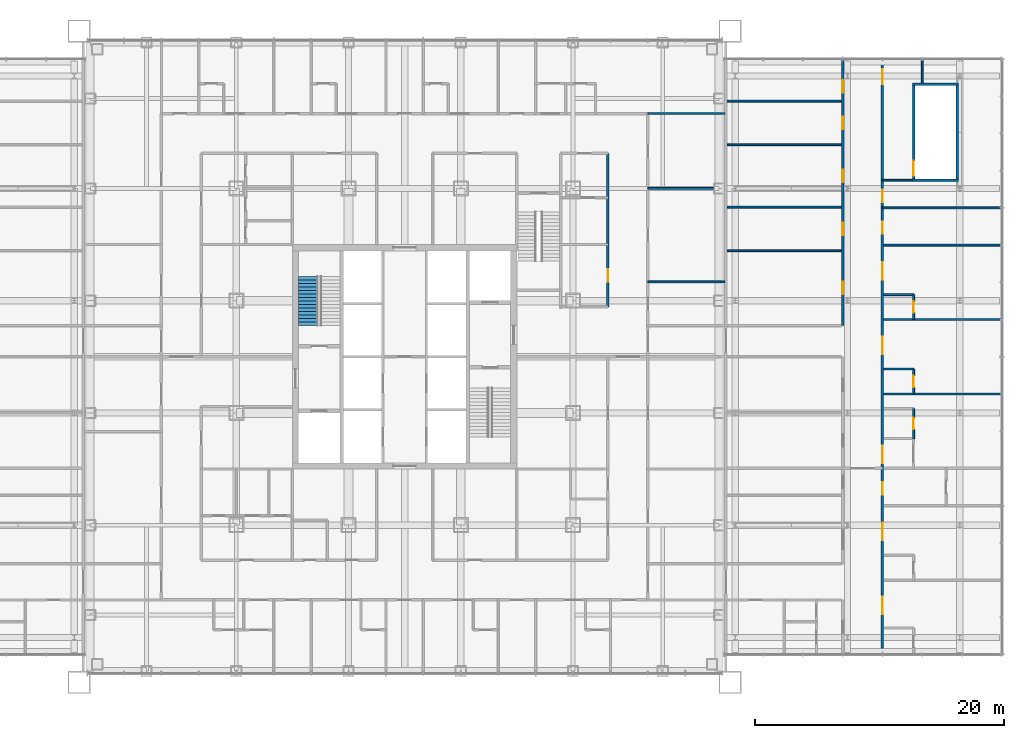
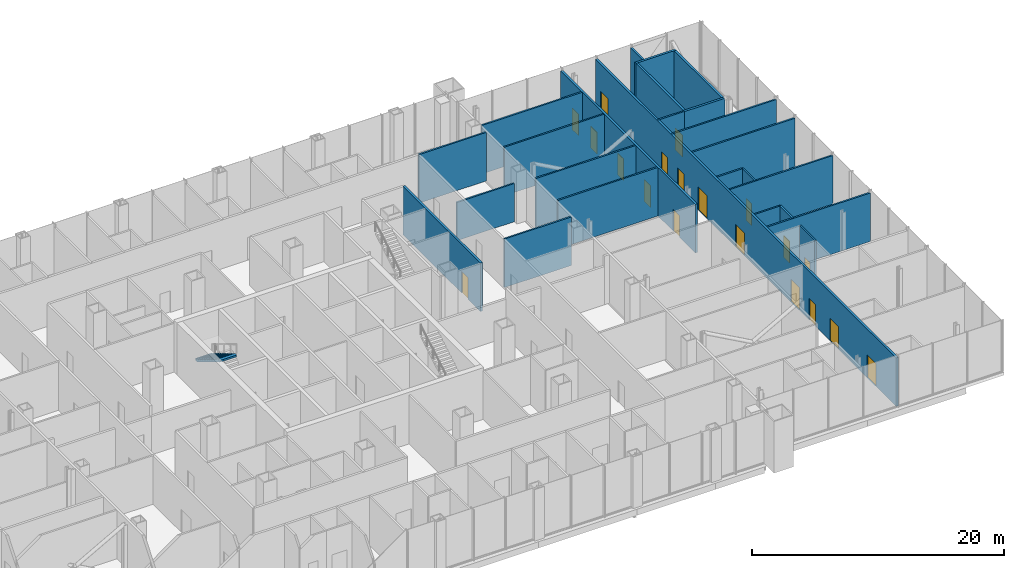
# One storey, part 22 of 28: 25 walls, 19 doors, 1 stair flight, 19 openings, 1 element without a shape of its own.
"""IFC4 building model written with IfcOpenShell, lengths in metres."""

from ifc_helpers import new_model, si_unit, direction, frame, frame_2d, origin, place, context, subcontext, project, spatial, polyline, rectangle, outline, extrude, material, layer, layer_set, type_object, element, fill, aggregate, save


model = new_model("IFC4")

# Units and contexts
model_context = context("Model", 3, precision=1e-05, world=origin(), true_north=direction((0.0, 1.0)))
body_context = subcontext(model_context, "Body", "Model", "MODEL_VIEW")
ifc_project = project(units=[si_unit("LENGTHUNIT", "METRE"), si_unit("AREAUNIT", "SQUARE_METRE"), si_unit("VOLUMEUNIT", "CUBIC_METRE"), si_unit("PLANEANGLEUNIT", "RADIAN"), si_unit("MASSUNIT", "GRAM", prefix="KILO")], contexts=[model_context])

# Site, building, storey
site_placement = place(None, origin())
site = spatial("IfcSite", under=ifc_project, at=site_placement, CompositionType="ELEMENT")
building_placement = place(site_placement, origin())
building = spatial("IfcBuilding", under=site, at=building_placement, Name="Malebo Sky Hospital", CompositionType="ELEMENT")
storey_placement = place(building_placement, frame((0.0, 0.0, 21.0)))
storey = spatial("IfcBuildingStorey", under=building, at=storey_placement, Name="L04", CompositionType="ELEMENT", Elevation=21.0)

# Wall, opening, door
ifc_material_1 = material(Name="Gypsum board on steel studs", Category="steel")
ifc_layer_1 = layer(ifc_material_1, 0.199951171875)
ifc_layer_set_1 = layer_set([ifc_layer_1], Name="CORRIDOR WALL 200")
wall_type_1 = type_object("IfcWallType", Name="CORRIDOR WALL 200", PredefinedType="PARTITIONING", material=ifc_layer_set_1)
wall_1_placement = place(storey_placement, frame((76.300048828125, 78.300048828125, 0.0), z_axis=(0.0, 0.0, 1.0), x_axis=(0.0, -1.0, 0.0)))
wall_1 = element("IfcWall", 1, at=wall_1_placement, inside=storey, type_object=wall_type_1, Name="Corridor Wall 200 ECI1", PredefinedType="PARTITIONING", context=body_context, shape_type="SweptSolid", body=[
    extrude(rectangle(XDim=12.300048828125, YDim=0.199951171875, at=frame_2d((6.14990234375, 0.0))), origin(), (0.0, 0.0, 1.0), 4.699951171875),
])
opening_1_placement = place(wall_1_placement, frame((9.300048828125, 0.0, 0.0)))
opening_1 = element("IfcOpeningElement", 2, at=opening_1_placement, cuts=wall_1, Name="Opening D03", PredefinedType="OPENING", context=body_context, shape_type="SweptSolid", body=[
    extrude(rectangle(XDim=1.0, YDim=2.10009765625, at=frame_2d((0.5, 1.050048828125))), frame((0.0, 0.10986328125, 0.0), z_axis=(0.0, -1.0, 0.0), x_axis=(1.0, 0.0, 0.0)), (0.0, 0.0, 1.0), 0.219970703125),
])
ifc_material_2 = material(Name="Hardwood-faced door leaf in steel frame", Category="steel")
door_type_1 = type_object("IfcDoorType", Name="ROOM DOOR 1000", OperationType="SINGLE_SWING_LEFT", PredefinedType="DOOR", material=ifc_material_2)
door_1_placement = place(opening_1_placement, origin())
door_1 = element("IfcDoor", 3, at=door_1_placement, inside=storey, type_object=door_type_1, Name="Equipment store door", OperationType="SINGLE_SWING_LEFT", OverallHeight=2.10009765625, OverallWidth=1.0, PredefinedType="DOOR", context=body_context, shape_type="SweptSolid", body=[
    extrude(rectangle(XDim=1.0, YDim=2.10009765625, at=frame_2d((0.5, 1.050048828125))), frame((0.0, 0.02490234375, 0.0), z_axis=(0.0, -1.0, 0.0), x_axis=(1.0, 0.0, 0.0)), (0.0, 0.0, 1.0), 0.050048828125),
])
fill(opening_1, door_1)

# Wall, openings, doors
wall_2_placement = place(storey_placement, frame((98.306884765625, 38.14990234375, 0.0), z_axis=(0.0, 0.0, 1.0), x_axis=(0.0, 1.0, 0.0)))
wall_2 = element("IfcWall", 4, at=wall_2_placement, inside=storey, type_object=wall_type_1, Name="Corridor Wall 200 EWC1", PredefinedType="PARTITIONING", context=body_context, shape_type="SweptSolid", body=[
    extrude(rectangle(XDim=47.7001953125, YDim=0.199951171875, at=frame_2d((23.85009765625, 0.0))), origin(), (0.0, 0.0, 1.0), 4.699951171875),
])
opening_2_placement = place(wall_2_placement, frame((45.699951171875, 0.0, 0.0)))
opening_2 = element("IfcOpeningElement", 5, at=opening_2_placement, cuts=wall_2, Name="Opening D08", PredefinedType="OPENING", context=body_context, shape_type="SweptSolid", body=[
    extrude(rectangle(XDim=1.199951171875, YDim=2.10009765625, at=frame_2d((0.60009765625, 1.050048828125))), frame((0.0, 0.10986328125, 0.0), z_axis=(0.0, -1.0, 0.0), x_axis=(1.0, 0.0, 0.0)), (0.0, 0.0, 1.0), 0.219970703125),
])
opening_3_placement = place(wall_2_placement, frame((36.24365234375, 0.0, 0.0)))
opening_3 = element("IfcOpeningElement", 6, at=opening_3_placement, cuts=wall_2, Name="Opening D03", PredefinedType="OPENING", context=body_context, shape_type="SweptSolid", body=[
    extrude(rectangle(XDim=1.0, YDim=2.10009765625, at=frame_2d((0.5, 1.050048828125))), frame((0.0, 0.10986328125, 0.0), z_axis=(0.0, -1.0, 0.0), x_axis=(1.0, 0.0, 0.0)), (0.0, 0.0, 1.0), 0.219970703125),
])
opening_4_placement = place(wall_2_placement, frame((15.296875, 0.0, 0.0)))
opening_4 = element("IfcOpeningElement", 7, at=opening_4_placement, cuts=wall_2, Name="Opening D25", PredefinedType="OPENING", context=body_context, shape_type="SweptSolid", body=[
    extrude(rectangle(XDim=1.39990234375, YDim=2.199951171875, at=frame_2d((0.699951171875, 1.10009765625))), frame((0.0, 0.10986328125, 0.0), z_axis=(0.0, -1.0, 0.0), x_axis=(1.0, 0.0, 0.0)), (0.0, 0.0, 1.0), 0.219970703125),
])
opening_5_placement = place(wall_2_placement, frame((3.221923828125, 0.0, 0.0)))
opening_5 = element("IfcOpeningElement", 8, at=opening_5_placement, cuts=wall_2, Name="Opening D25", PredefinedType="OPENING", context=body_context, shape_type="SweptSolid", body=[
    extrude(rectangle(XDim=1.39990234375, YDim=2.199951171875, at=frame_2d((0.699951171875, 1.10009765625))), frame((0.0, 0.10986328125, 0.0), z_axis=(0.0, -1.0, 0.0), x_axis=(1.0, 0.0, 0.0)), (0.0, 0.0, 1.0), 0.219970703125),
])
opening_6_placement = place(wall_2_placement, frame((9.128173828125, 0.0, 0.0)))
opening_6 = element("IfcOpeningElement", 9, at=opening_6_placement, cuts=wall_2, Name="Opening D25", PredefinedType="OPENING", context=body_context, shape_type="SweptSolid", body=[
    extrude(rectangle(XDim=1.39990234375, YDim=2.199951171875, at=frame_2d((0.699951171875, 1.10009765625))), frame((0.0, 0.10986328125, 0.0), z_axis=(0.0, -1.0, 0.0), x_axis=(1.0, 0.0, 0.0)), (0.0, 0.0, 1.0), 0.219970703125),
])
opening_7_placement = place(wall_2_placement, frame((12.8046875, 0.0, 0.0)))
opening_7 = element("IfcOpeningElement", 10, at=opening_7_placement, cuts=wall_2, Name="Opening D03", PredefinedType="OPENING", context=body_context, shape_type="SweptSolid", body=[
    extrude(rectangle(XDim=1.0, YDim=2.10009765625, at=frame_2d((0.5, 1.050048828125))), frame((0.0, 0.10986328125, 0.0), z_axis=(0.0, -1.0, 0.0), x_axis=(1.0, 0.0, 0.0)), (0.0, 0.0, 1.0), 0.219970703125),
])
opening_8_placement = place(wall_2_placement, frame((24.050048828125, 0.0, 0.0)))
opening_8 = element("IfcOpeningElement", 11, at=opening_8_placement, cuts=wall_2, Name="Opening D25", PredefinedType="OPENING", context=body_context, shape_type="SweptSolid", body=[
    extrude(rectangle(XDim=1.39990234375, YDim=2.199951171875, at=frame_2d((0.699951171875, 1.10009765625))), frame((0.0, 0.10986328125, 0.0), z_axis=(0.0, -1.0, 0.0), x_axis=(1.0, 0.0, 0.0)), (0.0, 0.0, 1.0), 0.219970703125),
])
opening_9_placement = place(wall_2_placement, frame((30.018798828125, 0.0, 0.0)))
opening_9 = element("IfcOpeningElement", 12, at=opening_9_placement, cuts=wall_2, Name="Opening D25", PredefinedType="OPENING", context=body_context, shape_type="SweptSolid", body=[
    extrude(rectangle(XDim=1.39990234375, YDim=2.199951171875, at=frame_2d((0.699951171875, 1.10009765625))), frame((0.0, 0.10986328125, 0.0), z_axis=(0.0, -1.0, 0.0), x_axis=(1.0, 0.0, 0.0)), (0.0, 0.0, 1.0), 0.219970703125),
])
opening_10_placement = place(wall_2_placement, frame((33.6953125, 0.0, 0.0)))
opening_10 = element("IfcOpeningElement", 13, at=opening_10_placement, cuts=wall_2, Name="Opening D03", PredefinedType="OPENING", context=body_context, shape_type="SweptSolid", body=[
    extrude(rectangle(XDim=1.0, YDim=2.10009765625, at=frame_2d((0.5, 1.050048828125))), frame((0.0, 0.10986328125, 0.0), z_axis=(0.0, -1.0, 0.0), x_axis=(1.0, 0.0, 0.0)), (0.0, 0.0, 1.0), 0.219970703125),
])
door_type_2 = type_object("IfcDoorType", Name="BED DOOR PAIR 1400", OperationType="DOUBLE_DOOR_SINGLE_SWING", PredefinedType="DOOR", material=ifc_material_2)
door_2_placement = place(opening_4_placement, origin())
door_2 = element("IfcDoor", 14, at=door_2_placement, inside=storey, type_object=door_type_2, Name="Anteroom door", OperationType="DOUBLE_DOOR_SINGLE_SWING", OverallHeight=2.199951171875, OverallWidth=1.39990234375, PredefinedType="DOOR", context=body_context, shape_type="SweptSolid", body=[
    extrude(rectangle(XDim=1.39990234375, YDim=2.199951171875, at=frame_2d((0.699951171875, 1.10009765625))), frame((0.0, 0.02490234375, 0.0), z_axis=(0.0, -1.0, 0.0), x_axis=(1.0, 0.0, 0.0)), (0.0, 0.0, 1.0), 0.050048828125),
])
fill(opening_4, door_2)
door_3_placement = place(opening_5_placement, origin())
door_3 = element("IfcDoor", 15, at=door_3_placement, inside=storey, type_object=door_type_2, Name="ICU bed room door", OperationType="DOUBLE_DOOR_SINGLE_SWING", OverallHeight=2.199951171875, OverallWidth=1.39990234375, PredefinedType="DOOR", context=body_context, shape_type="SweptSolid", body=[
    extrude(rectangle(XDim=1.39990234375, YDim=2.199951171875, at=frame_2d((0.699951171875, 1.10009765625))), frame((0.0, 0.02490234375, 0.0), z_axis=(0.0, -1.0, 0.0), x_axis=(1.0, 0.0, 0.0)), (0.0, 0.0, 1.0), 0.050048828125),
])
fill(opening_5, door_3)
door_4_placement = place(opening_6_placement, origin())
door_4 = element("IfcDoor", 16, at=door_4_placement, inside=storey, type_object=door_type_2, Name="ICU bed room door", OperationType="DOUBLE_DOOR_SINGLE_SWING", OverallHeight=2.199951171875, OverallWidth=1.39990234375, PredefinedType="DOOR", context=body_context, shape_type="SweptSolid", body=[
    extrude(rectangle(XDim=1.39990234375, YDim=2.199951171875, at=frame_2d((0.699951171875, 1.10009765625))), frame((0.0, 0.02490234375, 0.0), z_axis=(0.0, -1.0, 0.0), x_axis=(1.0, 0.0, 0.0)), (0.0, 0.0, 1.0), 0.050048828125),
])
fill(opening_6, door_4)
door_5_placement = place(opening_8_placement, origin())
door_5 = element("IfcDoor", 17, at=door_5_placement, inside=storey, type_object=door_type_2, Name="ICU bed room door", OperationType="DOUBLE_DOOR_SINGLE_SWING", OverallHeight=2.199951171875, OverallWidth=1.39990234375, PredefinedType="DOOR", context=body_context, shape_type="SweptSolid", body=[
    extrude(rectangle(XDim=1.39990234375, YDim=2.199951171875, at=frame_2d((0.699951171875, 1.10009765625))), frame((0.0, 0.02490234375, 0.0), z_axis=(0.0, -1.0, 0.0), x_axis=(1.0, 0.0, 0.0)), (0.0, 0.0, 1.0), 0.050048828125),
])
fill(opening_8, door_5)
door_6_placement = place(opening_9_placement, origin())
door_6 = element("IfcDoor", 18, at=door_6_placement, inside=storey, type_object=door_type_2, Name="ICU bed room door", OperationType="DOUBLE_DOOR_SINGLE_SWING", OverallHeight=2.199951171875, OverallWidth=1.39990234375, PredefinedType="DOOR", context=body_context, shape_type="SweptSolid", body=[
    extrude(rectangle(XDim=1.39990234375, YDim=2.199951171875, at=frame_2d((0.699951171875, 1.10009765625))), frame((0.0, 0.02490234375, 0.0), z_axis=(0.0, -1.0, 0.0), x_axis=(1.0, 0.0, 0.0)), (0.0, 0.0, 1.0), 0.050048828125),
])
fill(opening_9, door_6)
door_7_placement = place(opening_3_placement, origin())
door_7 = element("IfcDoor", 19, at=door_7_placement, inside=storey, type_object=door_type_1, Name="ICU consumables store door", OperationType="SINGLE_SWING_LEFT", OverallHeight=2.10009765625, OverallWidth=1.0, PredefinedType="DOOR", context=body_context, shape_type="SweptSolid", body=[
    extrude(rectangle(XDim=1.0, YDim=2.10009765625, at=frame_2d((0.5, 1.050048828125))), frame((0.0, 0.02490234375, 0.0), z_axis=(0.0, -1.0, 0.0), x_axis=(1.0, 0.0, 0.0)), (0.0, 0.0, 1.0), 0.050048828125),
])
fill(opening_3, door_7)
door_8_placement = place(opening_7_placement, origin())
door_8 = element("IfcDoor", 20, at=door_8_placement, inside=storey, type_object=door_type_1, Name="ICU nurse base door", OperationType="SINGLE_SWING_LEFT", OverallHeight=2.10009765625, OverallWidth=1.0, PredefinedType="DOOR", context=body_context, shape_type="SweptSolid", body=[
    extrude(rectangle(XDim=1.0, YDim=2.10009765625, at=frame_2d((0.5, 1.050048828125))), frame((0.0, 0.02490234375, 0.0), z_axis=(0.0, -1.0, 0.0), x_axis=(1.0, 0.0, 0.0)), (0.0, 0.0, 1.0), 0.050048828125),
])
fill(opening_7, door_8)
door_9_placement = place(opening_10_placement, origin())
door_9 = element("IfcDoor", 21, at=door_9_placement, inside=storey, type_object=door_type_1, Name="Dirty utility room door", OperationType="SINGLE_SWING_LEFT", OverallHeight=2.10009765625, OverallWidth=1.0, PredefinedType="DOOR", context=body_context, shape_type="SweptSolid", body=[
    extrude(rectangle(XDim=1.0, YDim=2.10009765625, at=frame_2d((0.5, 1.050048828125))), frame((0.0, 0.02490234375, 0.0), z_axis=(0.0, -1.0, 0.0), x_axis=(1.0, 0.0, 0.0)), (0.0, 0.0, 1.0), 0.050048828125),
])
fill(opening_10, door_9)
door_type_3 = type_object("IfcDoorType", Name="STAIR DOOR 1200", OperationType="SINGLE_SWING_LEFT", PredefinedType="DOOR", material=ifc_material_2)
door_10_placement = place(opening_2_placement, origin())
door_10 = element("IfcDoor", 22, at=door_10_placement, inside=storey, type_object=door_type_3, Name="Stair lobby door", OperationType="SINGLE_SWING_RIGHT", OverallHeight=2.10009765625, OverallWidth=1.199951171875, PredefinedType="DOOR", context=body_context, shape_type="SweptSolid", body=[
    extrude(rectangle(XDim=1.199951171875, YDim=2.10009765625, at=frame_2d((0.60009765625, 1.050048828125))), frame((0.0, 0.02490234375, 0.0), z_axis=(0.0, -1.0, 0.0), x_axis=(1.0, 0.0, 0.0)), (0.0, 0.0, 1.0), 0.050048828125),
])
fill(opening_2, door_10)

wall_3_placement = place(storey_placement, frame((95.117919921875, 64.5, 0.0), z_axis=(0.0, 0.0, 1.0), x_axis=(0.0, 1.0, 0.0)))
wall_3 = element("IfcWall", 23, at=wall_3_placement, inside=storey, type_object=wall_type_1, Name="Corridor Wall 200 EWC2C", PredefinedType="PARTITIONING", context=body_context, shape_type="SweptSolid", body=[
    extrude(rectangle(XDim=21.35009765625, YDim=0.199951171875, at=frame_2d((10.675048828125, 0.0))), origin(), (0.0, 0.0, 1.0), 4.699951171875),
])
opening_11_placement = place(wall_3_placement, frame((2.5, 0.0, 0.0)))
opening_11 = element("IfcOpeningElement", 24, at=opening_11_placement, cuts=wall_3, Name="Opening D03", PredefinedType="OPENING", context=body_context, shape_type="SweptSolid", body=[
    extrude(rectangle(XDim=1.0, YDim=2.10009765625, at=frame_2d((0.5, 1.050048828125))), frame((0.0, 0.10986328125, 0.0), z_axis=(0.0, -1.0, 0.0), x_axis=(1.0, 0.0, 0.0)), (0.0, 0.0, 1.0), 0.219970703125),
])
opening_12_placement = place(wall_3_placement, frame((7.25, 0.0, 0.0)))
opening_12 = element("IfcOpeningElement", 25, at=opening_12_placement, cuts=wall_3, Name="Opening D03", PredefinedType="OPENING", context=body_context, shape_type="SweptSolid", body=[
    extrude(rectangle(XDim=1.0, YDim=2.10009765625, at=frame_2d((0.5, 1.050048828125))), frame((0.0, 0.10986328125, 0.0), z_axis=(0.0, -1.0, 0.0), x_axis=(1.0, 0.0, 0.0)), (0.0, 0.0, 1.0), 0.219970703125),
])
opening_13_placement = place(wall_3_placement, frame((11.5, 0.0, 0.0)))
opening_13 = element("IfcOpeningElement", 26, at=opening_13_placement, cuts=wall_3, Name="Opening D03", PredefinedType="OPENING", context=body_context, shape_type="SweptSolid", body=[
    extrude(rectangle(XDim=1.0, YDim=2.10009765625, at=frame_2d((0.5, 1.050048828125))), frame((0.0, 0.10986328125, 0.0), z_axis=(0.0, -1.0, 0.0), x_axis=(1.0, 0.0, 0.0)), (0.0, 0.0, 1.0), 0.219970703125),
])
opening_14_placement = place(wall_3_placement, frame((15.75, 0.0, 0.0)))
opening_14 = element("IfcOpeningElement", 27, at=opening_14_placement, cuts=wall_3, Name="Opening D03", PredefinedType="OPENING", context=body_context, shape_type="SweptSolid", body=[
    extrude(rectangle(XDim=1.0, YDim=2.10009765625, at=frame_2d((0.5, 1.050048828125))), frame((0.0, 0.10986328125, 0.0), z_axis=(0.0, -1.0, 0.0), x_axis=(1.0, 0.0, 0.0)), (0.0, 0.0, 1.0), 0.219970703125),
])
opening_15_placement = place(wall_3_placement, frame((18.675048828125, 0.0, 0.0)))
opening_15 = element("IfcOpeningElement", 28, at=opening_15_placement, cuts=wall_3, Name="Opening D03", PredefinedType="OPENING", context=body_context, shape_type="SweptSolid", body=[
    extrude(rectangle(XDim=1.0, YDim=2.10009765625, at=frame_2d((0.5, 1.050048828125))), frame((0.0, 0.10986328125, 0.0), z_axis=(0.0, -1.0, 0.0), x_axis=(1.0, 0.0, 0.0)), (0.0, 0.0, 1.0), 0.219970703125),
])
door_11_placement = place(opening_11_placement, origin())
door_11 = element("IfcDoor", 29, at=door_11_placement, inside=storey, type_object=door_type_1, Name="Relatives room door", OperationType="SINGLE_SWING_LEFT", OverallHeight=2.10009765625, OverallWidth=1.0, PredefinedType="DOOR", context=body_context, shape_type="SweptSolid", body=[
    extrude(rectangle(XDim=1.0, YDim=2.10009765625, at=frame_2d((0.5, 1.050048828125))), frame((0.0, 0.02490234375, 0.0), z_axis=(0.0, -1.0, 0.0), x_axis=(1.0, 0.0, 0.0)), (0.0, 0.0, 1.0), 0.050048828125),
])
fill(opening_11, door_11)
door_12_placement = place(opening_12_placement, origin())
door_12 = element("IfcDoor", 30, at=door_12_placement, inside=storey, type_object=door_type_1, Name="Relatives overnight room door", OperationType="SINGLE_SWING_LEFT", OverallHeight=2.10009765625, OverallWidth=1.0, PredefinedType="DOOR", context=body_context, shape_type="SweptSolid", body=[
    extrude(rectangle(XDim=1.0, YDim=2.10009765625, at=frame_2d((0.5, 1.050048828125))), frame((0.0, 0.02490234375, 0.0), z_axis=(0.0, -1.0, 0.0), x_axis=(1.0, 0.0, 0.0)), (0.0, 0.0, 1.0), 0.050048828125),
])
fill(opening_12, door_12)
door_13_placement = place(opening_13_placement, origin())
door_13 = element("IfcDoor", 31, at=door_13_placement, inside=storey, type_object=door_type_1, Name="Staff changing room door", OperationType="SINGLE_SWING_LEFT", OverallHeight=2.10009765625, OverallWidth=1.0, PredefinedType="DOOR", context=body_context, shape_type="SweptSolid", body=[
    extrude(rectangle(XDim=1.0, YDim=2.10009765625, at=frame_2d((0.5, 1.050048828125))), frame((0.0, 0.02490234375, 0.0), z_axis=(0.0, -1.0, 0.0), x_axis=(1.0, 0.0, 0.0)), (0.0, 0.0, 1.0), 0.050048828125),
])
fill(opening_13, door_13)
door_14_placement = place(opening_14_placement, origin())
door_14 = element("IfcDoor", 32, at=door_14_placement, inside=storey, type_object=door_type_1, Name="Staff rest room door", OperationType="SINGLE_SWING_LEFT", OverallHeight=2.10009765625, OverallWidth=1.0, PredefinedType="DOOR", context=body_context, shape_type="SweptSolid", body=[
    extrude(rectangle(XDim=1.0, YDim=2.10009765625, at=frame_2d((0.5, 1.050048828125))), frame((0.0, 0.02490234375, 0.0), z_axis=(0.0, -1.0, 0.0), x_axis=(1.0, 0.0, 0.0)), (0.0, 0.0, 1.0), 0.050048828125),
])
fill(opening_14, door_14)
door_15_placement = place(opening_15_placement, origin())
door_15 = element("IfcDoor", 33, at=door_15_placement, inside=storey, type_object=door_type_1, Name="ICU linen store door", OperationType="SINGLE_SWING_LEFT", OverallHeight=2.10009765625, OverallWidth=1.0, PredefinedType="DOOR", context=body_context, shape_type="SweptSolid", body=[
    extrude(rectangle(XDim=1.0, YDim=2.10009765625, at=frame_2d((0.5, 1.050048828125))), frame((0.0, 0.02490234375, 0.0), z_axis=(0.0, -1.0, 0.0), x_axis=(1.0, 0.0, 0.0)), (0.0, 0.0, 1.0), 0.050048828125),
])
fill(opening_15, door_15)

# Walls
ifc_layer_2 = layer(ifc_material_1, 0.14990234375)
ifc_layer_set_2 = layer_set([ifc_layer_2], Name="PARTITION 150")
wall_type_2 = type_object("IfcWallType", Name="PARTITION 150", PredefinedType="PARTITIONING", material=ifc_layer_set_2)
wall_4_placement = place(storey_placement, frame((79.5, 81.5, 0.0), z_axis=(0.0, 0.0, 1.0), x_axis=(1.0, 0.0, 0.0)))
element("IfcWall", 34, at=wall_4_placement, inside=storey, type_object=wall_type_2, Name="Partition 150 EP-19.5", PredefinedType="PARTITIONING", context=body_context, shape_type="SweptSolid", body=[
    extrude(rectangle(XDim=6.14990234375, YDim=0.14990234375, at=frame_2d((3.074951171875, 0.0))), origin(), (0.0, 0.0, 1.0), 4.699951171875),
])
wall_5_placement = place(storey_placement, frame((79.5, 75.5, 0.0), z_axis=(0.0, 0.0, 1.0), x_axis=(1.0, 0.0, 0.0)))
element("IfcWall", 35, at=wall_5_placement, inside=storey, type_object=wall_type_2, Name="Partition 150 EP-13.5", PredefinedType="PARTITIONING", context=body_context, shape_type="SweptSolid", body=[
    extrude(rectangle(XDim=5.25, YDim=0.14990234375, at=frame_2d((2.625, 0.0))), origin(), (0.0, 0.0, 1.0), 3.699951171875),
])
wall_6_placement = place(storey_placement, frame((79.5, 68.0, 0.0), z_axis=(0.0, 0.0, 1.0), x_axis=(1.0, 0.0, 0.0)))
element("IfcWall", 36, at=wall_6_placement, inside=storey, type_object=wall_type_2, Name="Partition 150 EP-6.0", PredefinedType="PARTITIONING", context=body_context, shape_type="SweptSolid", body=[
    extrude(rectangle(XDim=6.14990234375, YDim=0.14990234375, at=frame_2d((3.074951171875, 0.0))), origin(), (0.0, 0.0, 1.0), 4.699951171875),
])
wall_7_placement = place(storey_placement, frame((100.699951171875, 76.14990234375, 0.0), z_axis=(0.0, 0.0, 1.0), x_axis=(-1.0, 0.0, 0.0)))
element("IfcWall", 37, at=wall_7_placement, inside=storey, type_object=wall_type_2, Name="Partition 150 ELS", PredefinedType="PARTITIONING", context=body_context, shape_type="SweptSolid", body=[
    extrude(rectangle(XDim=2.39306640625, YDim=0.14990234375, at=frame_2d((1.196533203125, 0.0))), origin(), (0.0, 0.0, 1.0), 4.699951171875),
])
wall_8_placement = place(storey_placement, frame((101.49609375, 83.949951171875, 0.0), z_axis=(0.0, 0.0, 1.0), x_axis=(0.0, 1.0, 0.0)))
element("IfcWall", 38, at=wall_8_placement, inside=storey, type_object=wall_type_2, Name="Partition 150 ELW", PredefinedType="PARTITIONING", context=body_context, shape_type="SweptSolid", body=[
    extrude(rectangle(XDim=1.900146484375, YDim=0.14990234375, at=frame_2d((0.9501953125, 0.0))), origin(), (0.0, 0.0, 1.0), 4.699951171875),
])
wall_9_placement = place(storey_placement, frame((107.85009765625, 73.9375, 0.0), z_axis=(0.0, 0.0, 1.0), x_axis=(-1.0, 0.0, 0.0)))
element("IfcWall", 39, at=wall_9_placement, inside=storey, type_object=wall_type_2, Name="Partition 150 ESP", PredefinedType="PARTITIONING", context=body_context, shape_type="SweptSolid", body=[
    extrude(rectangle(XDim=9.543212890625, YDim=0.14990234375, at=frame_2d((4.771484375, 0.0))), origin(), (0.0, 0.0, 1.0), 4.699951171875),
])
for number, where, z_axis, x_axis, name in (
    (40, (107.85009765625, 59.015625, 0.0), (0.0, 0.0, 1.0), (-1.0, 0.0, 0.0), "Partition 150 EOH03"),
    (41, (107.85009765625, 64.984375, 0.0), (0.0, 0.0, 1.0), (-1.0, 0.0, 0.0), "Partition 150 EOH04"),
    (42, (107.85009765625, 70.953125, 0.0), (0.0, 0.0, 1.0), (-1.0, 0.0, 0.0), "Partition 150 EOH05"),
):
    element("IfcWall", number, at=place(storey_placement, frame(where, z_axis=z_axis, x_axis=x_axis)), inside=storey, type_object=wall_type_2, Name=name, PredefinedType="PARTITIONING", context=body_context, shape_type="SweptSolid", body=[
        extrude(rectangle(XDim=9.443115234375, YDim=0.14990234375, at=frame_2d((4.7216796875, 0.0))), origin(), (0.0, 0.0, 1.0), 4.699951171875),
    ])

# Wall, opening, door
wall_10_placement = place(storey_placement, frame((100.806884765625, 55.447021484375, 0.0), z_axis=(0.0, 0.0, 1.0), x_axis=(0.0, 1.0, 0.0)))
wall_10 = element("IfcWall", 43, at=wall_10_placement, inside=storey, type_object=wall_type_2, Name="Partition 150 EOX03F", PredefinedType="PARTITIONING", context=body_context, shape_type="SweptSolid", body=[
    extrude(rectangle(XDim=2.39990234375, YDim=0.14990234375, at=frame_2d((1.199951171875, 0.0))), origin(), (0.0, 0.0, 1.0), 4.699951171875),
])
opening_16_placement = place(wall_10_placement, frame((0.75, 0.0, 0.0)))
opening_16 = element("IfcOpeningElement", 44, at=opening_16_placement, cuts=wall_10, Name="Opening D02", PredefinedType="OPENING", context=body_context, shape_type="SweptSolid", body=[
    extrude(rectangle(XDim=0.89990234375, YDim=2.10009765625, at=frame_2d((0.449951171875, 1.050048828125))), frame((0.0, 0.0849609375, 0.0), z_axis=(0.0, -1.0, 0.0), x_axis=(1.0, 0.0, 0.0)), (0.0, 0.0, 1.0), 0.169921875),
])
door_type_4 = type_object("IfcDoorType", Name="EN-SUITE DOOR 900", OperationType="SINGLE_SWING_LEFT", PredefinedType="DOOR", material=ifc_material_2)
door_16_placement = place(opening_16_placement, origin())
door_16 = element("IfcDoor", 45, at=door_16_placement, inside=storey, type_object=door_type_4, Name="En-suite door", OperationType="SINGLE_SWING_LEFT", OverallHeight=2.10009765625, OverallWidth=0.89990234375, PredefinedType="DOOR", context=body_context, shape_type="SweptSolid", body=[
    extrude(rectangle(XDim=0.89990234375, YDim=2.10009765625, at=frame_2d((0.449951171875, 1.050048828125))), frame((0.0, 0.02490234375, 0.0), z_axis=(0.0, -1.0, 0.0), x_axis=(1.0, 0.0, 0.0)), (0.0, 0.0, 1.0), 0.050048828125),
])
fill(opening_16, door_16)

wall_11_placement = place(storey_placement, frame((100.806884765625, 59.015625, 0.0), z_axis=(0.0, 0.0, 1.0), x_axis=(0.0, 1.0, 0.0)))
wall_11 = element("IfcWall", 46, at=wall_11_placement, inside=storey, type_object=wall_type_2, Name="Partition 150 EOX04F", PredefinedType="PARTITIONING", context=body_context, shape_type="SweptSolid", body=[
    extrude(rectangle(XDim=2.0, YDim=0.14990234375, at=frame_2d((1.0, 0.0))), origin(), (0.0, 0.0, 1.0), 4.699951171875),
])
opening_17_placement = place(wall_11_placement, frame((0.550048828125, 0.0, 0.0)))
opening_17 = element("IfcOpeningElement", 47, at=opening_17_placement, cuts=wall_11, Name="Opening D02", PredefinedType="OPENING", context=body_context, shape_type="SweptSolid", body=[
    extrude(rectangle(XDim=0.89990234375, YDim=2.10009765625, at=frame_2d((0.449951171875, 1.050048828125))), frame((0.0, 0.0849609375, 0.0), z_axis=(0.0, -1.0, 0.0), x_axis=(1.0, 0.0, 0.0)), (0.0, 0.0, 1.0), 0.169921875),
])
door_17_placement = place(opening_17_placement, origin())
door_17 = element("IfcDoor", 48, at=door_17_placement, inside=storey, type_object=door_type_4, Name="En-suite door", OperationType="SINGLE_SWING_LEFT", OverallHeight=2.10009765625, OverallWidth=0.89990234375, PredefinedType="DOOR", context=body_context, shape_type="SweptSolid", body=[
    extrude(rectangle(XDim=0.89990234375, YDim=2.10009765625, at=frame_2d((0.449951171875, 1.050048828125))), frame((0.0, 0.02490234375, 0.0), z_axis=(0.0, -1.0, 0.0), x_axis=(1.0, 0.0, 0.0)), (0.0, 0.0, 1.0), 0.050048828125),
])
fill(opening_17, door_17)

# Wall
wall_12_placement = place(storey_placement, frame((98.406982421875, 61.015625, 0.0), z_axis=(0.0, 0.0, 1.0), x_axis=(1.0, 0.0, 0.0)))
element("IfcWall", 49, at=wall_12_placement, inside=storey, type_object=wall_type_2, Name="Partition 150 EOX04S", PredefinedType="PARTITIONING", context=body_context, shape_type="SweptSolid", body=[
    extrude(rectangle(XDim=2.39990234375, YDim=0.14990234375, at=frame_2d((1.199951171875, 0.0))), origin(), (0.0, 0.0, 1.0), 4.699951171875),
])

# Wall, opening, door
wall_13_placement = place(storey_placement, frame((100.806884765625, 64.984375, 0.0), z_axis=(0.0, 0.0, 1.0), x_axis=(0.0, 1.0, 0.0)))
wall_13 = element("IfcWall", 50, at=wall_13_placement, inside=storey, type_object=wall_type_2, Name="Partition 150 EOX05F", PredefinedType="PARTITIONING", context=body_context, shape_type="SweptSolid", body=[
    extrude(rectangle(XDim=2.0, YDim=0.14990234375, at=frame_2d((1.0, 0.0))), origin(), (0.0, 0.0, 1.0), 4.699951171875),
])
opening_18_placement = place(wall_13_placement, frame((0.550048828125, 0.0, 0.0)))
opening_18 = element("IfcOpeningElement", 51, at=opening_18_placement, cuts=wall_13, Name="Opening D02", PredefinedType="OPENING", context=body_context, shape_type="SweptSolid", body=[
    extrude(rectangle(XDim=0.89990234375, YDim=2.10009765625, at=frame_2d((0.449951171875, 1.050048828125))), frame((0.0, 0.0849609375, 0.0), z_axis=(0.0, -1.0, 0.0), x_axis=(1.0, 0.0, 0.0)), (0.0, 0.0, 1.0), 0.169921875),
])
door_18_placement = place(opening_18_placement, origin())
door_18 = element("IfcDoor", 52, at=door_18_placement, inside=storey, type_object=door_type_4, Name="En-suite door", OperationType="SINGLE_SWING_LEFT", OverallHeight=2.10009765625, OverallWidth=0.89990234375, PredefinedType="DOOR", context=body_context, shape_type="SweptSolid", body=[
    extrude(rectangle(XDim=0.89990234375, YDim=2.10009765625, at=frame_2d((0.449951171875, 1.050048828125))), frame((0.0, 0.02490234375, 0.0), z_axis=(0.0, -1.0, 0.0), x_axis=(1.0, 0.0, 0.0)), (0.0, 0.0, 1.0), 0.050048828125),
])
fill(opening_18, door_18)

# Walls
wall_14_placement = place(storey_placement, frame((98.406982421875, 66.984375, 0.0), z_axis=(0.0, 0.0, 1.0), x_axis=(1.0, 0.0, 0.0)))
element("IfcWall", 53, at=wall_14_placement, inside=storey, type_object=wall_type_2, Name="Partition 150 EOX05S", PredefinedType="PARTITIONING", context=body_context, shape_type="SweptSolid", body=[
    extrude(rectangle(XDim=2.39990234375, YDim=0.14990234375, at=frame_2d((1.199951171875, 0.0))), origin(), (0.0, 0.0, 1.0), 4.699951171875),
])
for number, where, z_axis, x_axis, name in (
    (54, (95.01806640625, 70.5, 0.0), (0.0, 0.0, 1.0), (-1.0, 0.0, 0.0), "Partition 150 EIH08"),
    (55, (95.01806640625, 74.0, 0.0), (0.0, 0.0, 1.0), (-1.0, 0.0, 0.0), "Partition 150 EIH09"),
    (56, (95.01806640625, 79.0, 0.0), (0.0, 0.0, 1.0), (-1.0, 0.0, 0.0), "Partition 150 EIH10"),
    (57, (95.01806640625, 82.5, 0.0), (0.0, 0.0, 1.0), (-1.0, 0.0, 0.0), "Partition 150 EIH11"),
):
    element("IfcWall", number, at=place(storey_placement, frame(where, z_axis=z_axis, x_axis=x_axis)), inside=storey, type_object=wall_type_2, Name=name, PredefinedType="PARTITIONING", context=body_context, shape_type="SweptSolid", body=[
        extrude(rectangle(XDim=9.16796875, YDim=0.14990234375, at=frame_2d((4.583984375, 0.0))), origin(), (0.0, 0.0, 1.0), 4.699951171875),
    ])
ifc_material_3 = material(Name="Concrete C40/50", Category="concrete")
ifc_layer_3 = layer(ifc_material_3, 0.199951171875)
ifc_layer_set_3 = layer_set([ifc_layer_3], Name="STAIR ENCLOSURE WALL 200")
wall_type_3 = type_object("IfcWallType", Name="STAIR ENCLOSURE WALL 200", PredefinedType="SOLIDWALL", material=ifc_layer_set_3)
for number, where, z_axis, x_axis, name in (
    (58, (100.699951171875, 76.14990234375, 0.0), (0.0, 0.0, 1.0), (1.0, 0.0, 0.0), "Stair Enclosure Wall 200 ESS"),
    (59, (100.699951171875, 83.85009765625, 0.0), (0.0, 0.0, 1.0), (1.0, 0.0, 0.0), "Stair Enclosure Wall 200 ESN"),
):
    element("IfcWall", number, at=place(storey_placement, frame(where, z_axis=z_axis, x_axis=x_axis)), inside=storey, type_object=wall_type_3, Name=name, PredefinedType="SOLIDWALL", context=body_context, shape_type="SweptSolid", body=[
        extrude(rectangle(XDim=3.699951171875, YDim=0.199951171875, at=frame_2d((1.85009765625, 0.0))), origin(), (0.0, 0.0, 1.0), 4.699951171875),
    ])

# Wall, opening, door
wall_15_placement = place(storey_placement, frame((100.800048828125, 76.25, 0.0), z_axis=(0.0, 0.0, 1.0), x_axis=(0.0, 1.0, 0.0)))
wall_15 = element("IfcWall", 60, at=wall_15_placement, inside=storey, type_object=wall_type_3, Name="Stair Enclosure Wall 200 ESW", PredefinedType="SOLIDWALL", context=body_context, shape_type="SweptSolid", body=[
    extrude(rectangle(XDim=7.5, YDim=0.199951171875, at=frame_2d((3.75, 0.0))), origin(), (0.0, 0.0, 1.0), 4.699951171875),
])
opening_19_placement = place(wall_15_placement, frame((0.25, 0.0, 0.0)))
opening_19 = element("IfcOpeningElement", 61, at=opening_19_placement, cuts=wall_15, Name="Opening D08", PredefinedType="OPENING", context=body_context, shape_type="SweptSolid", body=[
    extrude(rectangle(XDim=1.199951171875, YDim=2.10009765625, at=frame_2d((0.60009765625, 1.050048828125))), frame((0.0, 0.10986328125, 0.0), z_axis=(0.0, -1.0, 0.0), x_axis=(1.0, 0.0, 0.0)), (0.0, 0.0, 1.0), 0.219970703125),
])
door_19_placement = place(opening_19_placement, origin())
door_19 = element("IfcDoor", 62, at=door_19_placement, inside=storey, type_object=door_type_3, Name="Stair ES door", OperationType="SINGLE_SWING_LEFT", OverallHeight=2.10009765625, OverallWidth=1.199951171875, PredefinedType="DOOR", context=body_context, shape_type="SweptSolid", body=[
    extrude(rectangle(XDim=1.199951171875, YDim=2.10009765625, at=frame_2d((0.60009765625, 1.050048828125))), frame((0.0, 0.02490234375, 0.0), z_axis=(0.0, -1.0, 0.0), x_axis=(1.0, 0.0, 0.0)), (0.0, 0.0, 1.0), 0.050048828125),
])
fill(opening_19, door_19)

# Wall
wall_16_placement = place(storey_placement, frame((104.300048828125, 76.25, 0.0), z_axis=(0.0, 0.0, 1.0), x_axis=(0.0, 1.0, 0.0)))
element("IfcWall", 63, at=wall_16_placement, inside=storey, type_object=wall_type_3, Name="Stair Enclosure Wall 200 ESE", PredefinedType="SOLIDWALL", context=body_context, shape_type="SweptSolid", body=[
    extrude(rectangle(XDim=7.5, YDim=0.199951171875, at=frame_2d((3.75, 0.0))), origin(), (0.0, 0.0, 1.0), 4.699951171875),
])

# Stair, stair flight
stair_type = type_object("IfcStairType", Name="HALF-TURN STAIR 1500 R167", PredefinedType="HALF_TURN_STAIR", material=ifc_material_3)
stair_placement = place(storey_placement, origin())
stair = element("IfcStair", 64, at=stair_placement, inside=storey, type_object=stair_type, Name="Stair S1 L04 type ST1", PredefinedType="HALF_TURN_STAIR")
stair_flight_type = type_object("IfcStairFlightType", Name="STAIR FLIGHT 1500 R167", PredefinedType="STRAIGHT", material=ifc_material_3)
stair_flight_placement = place(storey_placement, frame((52.25, 68.419921875, 2.5), z_axis=(0.0, 0.0, 1.0), x_axis=(0.0, -1.0, 0.0)))
stair_flight = element("IfcStairFlight", 65, at=stair_flight_placement, type_object=stair_flight_type, Name="S1 flight 2 type SF1", NumberOfRisers=15, NumberOfTreads=14, PredefinedType="STRAIGHT", RiserHeight=0.166666667, TreadLength=0.28, context=body_context, shape_type="SweptSolid", body=[
    extrude(outline(polyline([(0.0, 0.0), (0.0, 0.166748046875), (0.280029296875, 0.166748046875), (0.280029296875, 0.333251953125), (0.56005859375, 0.333251953125), (0.56005859375, 0.5), (0.840087890625, 0.5), (0.840087890625, 0.666748046875), (1.1201171875, 0.666748046875), (1.1201171875, 0.833251953125), (1.39990234375, 0.833251953125), (1.39990234375, 1.0), (1.679931640625, 1.0), (1.679931640625, 1.166748046875), (1.9599609375, 1.166748046875), (1.9599609375, 1.333251953125), (2.239990234375, 1.333251953125), (2.239990234375, 1.5), (2.52001953125, 1.5), (2.52001953125, 1.666748046875), (2.800048828125, 1.666748046875), (2.800048828125, 1.833251953125), (3.080078125, 1.833251953125), (3.080078125, 2.0), (3.360107421875, 2.0), (3.360107421875, 2.166748046875), (3.639892578125, 2.166748046875), (3.639892578125, 2.333251953125), (3.919921875, 2.333251953125), (3.919921875, 2.5), (3.919921875, 2.158935546875), (0.29296875, 0.0), (0.0, 0.0)])), frame((0.0, 0.75, 0.0), z_axis=(0.0, -1.0, 0.0), x_axis=(1.0, 0.0, 0.0)), (0.0, 0.0, 1.0), 1.5),
])
aggregate(stair, [stair_flight])

save(model, "model.ifc")
